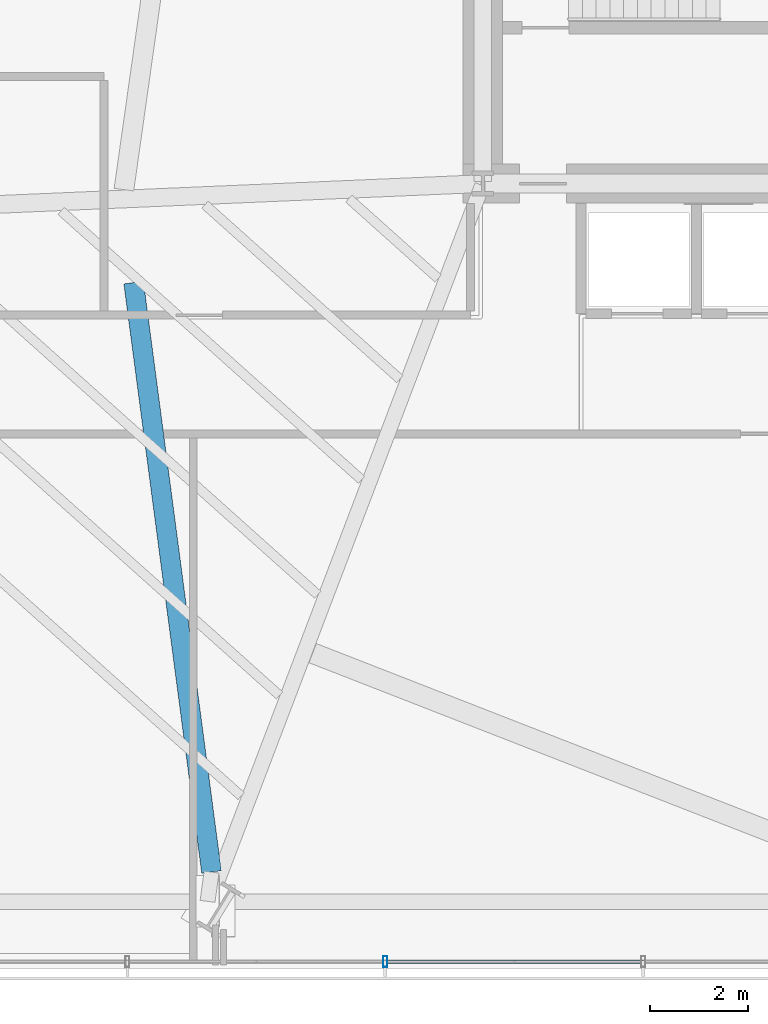
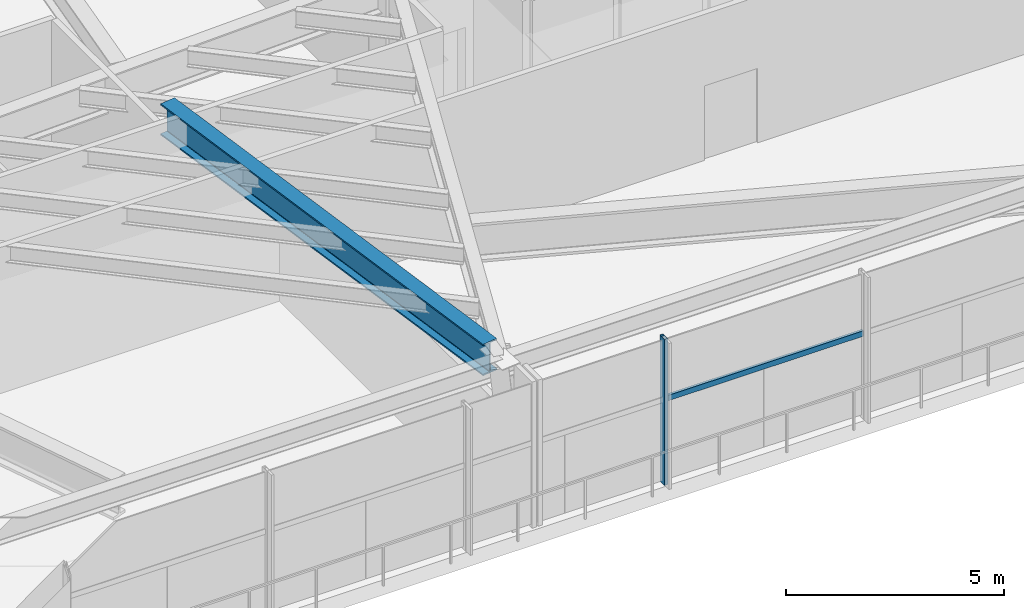
# One storey, part 6 of 30: 2 members, 1 beam, 1 element without a shape of its own.
"""IFC4 building model written with IfcOpenShell, lengths in metres."""

from ifc_helpers import new_model, si_unit, direction, frame, origin, origin_2d, place, context, subcontext, project, spatial, hollow_rectangle, i_section, extrude, source, transform, mapped, material, material_profile, profile_set, type_object, type_shapes, element, aggregate, save


model = new_model("IFC4")

# Units and contexts
model_context = context("Model", 3, precision=1e-05, world=origin(), true_north=direction((0.0, 1.0)))
body_context = subcontext(model_context, "Body", "Model", "MODEL_VIEW")
ifc_project = project(units=[si_unit("LENGTHUNIT", "METRE"), si_unit("AREAUNIT", "SQUARE_METRE"), si_unit("VOLUMEUNIT", "CUBIC_METRE"), si_unit("PLANEANGLEUNIT", "RADIAN"), si_unit("MASSUNIT", "GRAM", prefix="KILO")], contexts=[model_context])

# Site, building, storey
site_placement = place(None, origin())
site = spatial("IfcSite", under=ifc_project, at=site_placement, CompositionType="ELEMENT")
building_placement = place(site_placement, origin())
building = spatial("IfcBuilding", under=site, at=building_placement, Name="Astriad Promenade Condominiums", CompositionType="ELEMENT")
storey_placement = place(building_placement, frame((0.0, 0.0, 14.0)))
storey = spatial("IfcBuildingStorey", under=building, at=storey_placement, Name="L03", CompositionType="ELEMENT", Elevation=14.0)

# Beam
ifc_material_1 = material(Name="Steel ASTM A992 Grade 50", Category="steel")
ifc_material_profile_1 = material_profile(ifc_material_1, i_section(OverallWidth=0.4013671875, OverallDepth=0.877197265625, WebThickness=0.022216796875, FlangeThickness=0.039794921875, FilletRadius=0.02294921875, at=origin_2d()), Name="W33X263")
ifc_profile_set_1 = profile_set([ifc_material_profile_1], Name="Steel ASTM A992 Grade 50")
beam_type = type_object("IfcBeamType", Name="STEEL TRANSFER CARRIER GIRDER W33X263", PredefinedType="BEAM", material=ifc_profile_set_1)
shared_shape_1 = source(origin(), body_context, "Body", "SweptSolid", [
    extrude(i_section(OverallWidth=0.4013671875, OverallDepth=0.877197265625, WebThickness=0.022216796875, FlangeThickness=0.039794921875, FilletRadius=0.02294921875, at=origin_2d()), origin(), (0.0, 0.0, 1.0), 12.112548828125),
])
type_shapes(beam_type, [shared_shape_1])
beam_placement = place(storey_placement, frame((19.286376953125, 15.382568359375, 3.641357421875), z_axis=(0.131014994687, -0.991380386717, 0.0), x_axis=(0.991380386717, 0.131014994687, 0.0)))
element("IfcBeam", 1, at=beam_placement, inside=storey, type_object=beam_type, Name="Transfer Splice Carrier TRM-SP-PC02-L03", PredefinedType="BEAM", context=body_context, shape_type="MappedRepresentation", body=[
    mapped(shared_shape_1, transform((0.0, 0.0, 0.0), scale=1.0)),
])

# Curtain wall, members
ifc_material_2 = material(Name="Anodised aluminium Black Dark Glass Unitised", Category="aluminium")
curtain_wall_type = type_object("IfcCurtainWallType", Name="CW-POD-DARK", PredefinedType="USERDEFINED", material=ifc_material_2)
curtain_wall_placement = place(storey_placement, origin())
curtain_wall = element("IfcCurtainWall", 2, at=curtain_wall_placement, inside=storey, type_object=curtain_wall_type, Name="CW-L03-S", ObjectType="UNITISED_CURTAIN_WALL", PredefinedType="USERDEFINED")
ifc_material_3 = material(Name="Anodised aluminium 6063-T6 Black", Category="aluminium")
ifc_material_profile_2 = material_profile(ifc_material_3, hollow_rectangle(XDim=0.0849609375, YDim=0.219970703125, WallThickness=0.0048828125, at=origin_2d()), Name="ALU-MUL-85X220")
ifc_profile_set_2 = profile_set([ifc_material_profile_2], Name="Anodised aluminium 6063-T6 Black")
member_type_1 = type_object("IfcMemberType", Name="MUL-ALU-MUL-85X220", PredefinedType="MULLION", material=ifc_profile_set_2)
shared_shape_2 = source(origin(), body_context, "Body", "SweptSolid", [
    extrude(hollow_rectangle(XDim=0.0849609375, YDim=0.219970703125, WallThickness=0.0048828125, at=origin_2d()), origin(), (0.0, 0.0, 1.0), 4.080078125),
])
type_shapes(member_type_1, [shared_shape_2])
member_1_placement = place(storey_placement, frame((24.41357421875, 1.550048828125, 0.0), z_axis=(0.0, 0.0, 1.0), x_axis=(1.0, 0.0, 0.0)))
member_1 = element("IfcMember", 3, at=member_1_placement, type_object=member_type_1, Name="CW-L03-S-MUL-08", PredefinedType="MULLION", context=body_context, shape_type="MappedRepresentation", body=[
    mapped(shared_shape_2, transform((0.0, 0.0, 0.0), scale=1.0)),
])
ifc_material_profile_3 = material_profile(ifc_material_3, hollow_rectangle(XDim=0.074951171875, YDim=0.14990234375, WallThickness=0.004150390625, at=origin_2d()), Name="ALU-TRN-75X150")
ifc_profile_set_3 = profile_set([ifc_material_profile_3], Name="Anodised aluminium 6063-T6 Black")
member_type_2 = type_object("IfcMemberType", Name="TRN-ALU-TRN-75X150", PredefinedType="USERDEFINED", material=ifc_profile_set_3)
shared_shape_3 = source(origin(), body_context, "Body", "SweptSolid", [
    extrude(hollow_rectangle(XDim=0.074951171875, YDim=0.14990234375, WallThickness=0.004150390625, at=origin_2d()), origin(), (0.0, 0.0, 1.0), 5.254638671875),
])
type_shapes(member_type_2, [shared_shape_3])
member_2_placement = place(storey_placement, frame((29.668212890625, 1.550048828125, 2.35009765625), z_axis=(-1.0, 0.0, 0.0), x_axis=(0.0, -1.0, 0.0)))
member_2 = element("IfcMember", 4, at=member_2_placement, type_object=member_type_2, Name="CW-L03-S-TRN-07-0", ObjectType="TRANSOM", PredefinedType="USERDEFINED", context=body_context, shape_type="MappedRepresentation", body=[
    mapped(shared_shape_3, transform((0.0, 0.0, 0.0), scale=1.0)),
])
aggregate(curtain_wall, [member_1, member_2])

save(model, "model.ifc")
